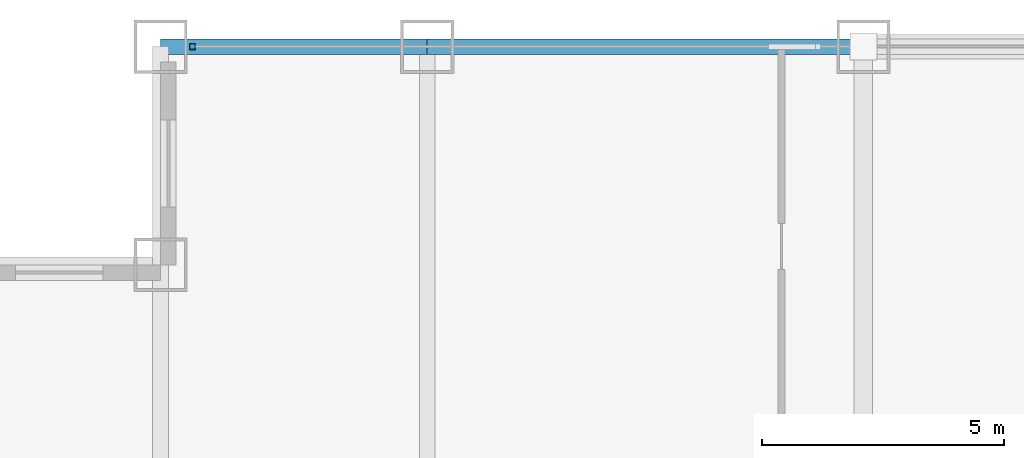
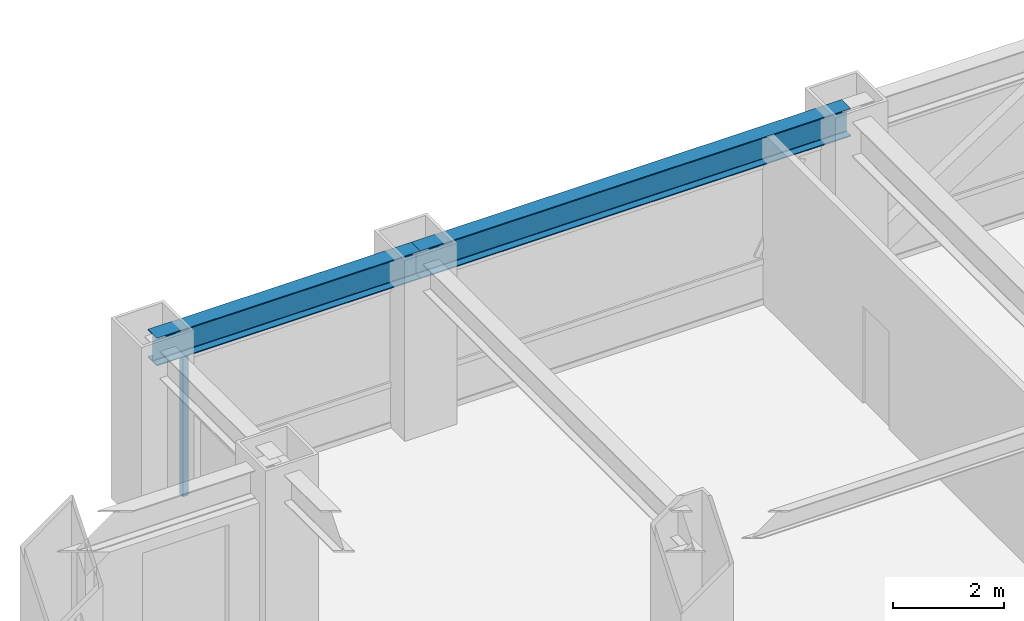
# One storey, part 14 of 24: 2 beams, 1 member, 1 element without a shape of its own.
"""IFC4 building model written with IfcOpenShell, lengths in metres."""

from ifc_helpers import new_model, si_unit, direction, frame, origin, origin_2d, place, context, subcontext, project, spatial, hollow_rectangle, i_section, extrude, source, transform, mapped, material, material_profile, profile_set, type_object, element, aggregate, save


model = new_model("IFC4")

# Units and contexts
model_context = context("Model", 3, precision=1e-05, world=origin(), true_north=direction((0.0, 1.0)))
body_context = subcontext(model_context, "Body", "Model", "MODEL_VIEW")
ifc_project = project(units=[si_unit("LENGTHUNIT", "METRE"), si_unit("AREAUNIT", "SQUARE_METRE"), si_unit("VOLUMEUNIT", "CUBIC_METRE"), si_unit("PLANEANGLEUNIT", "RADIAN"), si_unit("MASSUNIT", "GRAM", prefix="KILO")], contexts=[model_context])

# Site, building, storey
site_placement = place(None, origin())
site = spatial("IfcSite", under=ifc_project, at=site_placement, CompositionType="ELEMENT")
building_placement = place(site_placement, origin())
building = spatial("IfcBuilding", under=site, at=building_placement, Name="Khorayat Bourse Tower", CompositionType="ELEMENT")
storey_placement = place(building_placement, frame((0.0, 0.0, 171.10009765625)))
storey = spatial("IfcBuildingStorey", under=building, at=storey_placement, Name="L39", CompositionType="ELEMENT", Elevation=171.10009765625)

# Beams
ifc_material_1 = material(Name="Steel ASTM A992 Grade 50", Category="steel")
ifc_material_profile_1 = material_profile(ifc_material_1, i_section(OverallWidth=0.324951171875, OverallDepth=0.615966796875, WebThickness=0.013916015625, FlangeThickness=0.021484375, FilletRadius=0.01611328125, at=origin_2d()), Name="W610X174")
ifc_profile_set_1 = profile_set([ifc_material_profile_1], Name="Steel ASTM A992 Grade 50")
beam_type = type_object("IfcBeamType", Name="BM-SPAN-610", PredefinedType="SPANDREL", material=ifc_profile_set_1)
shared_shape_1 = source(origin(), body_context, "Body", "SweptSolid", [
    extrude(i_section(OverallWidth=0.324951171875, OverallDepth=0.615966796875, WebThickness=0.013916015625, FlangeThickness=0.021484375, FilletRadius=0.01611328125, at=origin_2d()), origin(), (0.0, 0.0, 1.0), 5.5),
])
beam_1_placement = place(storey_placement, frame((-25.5, 30.0, 3.471923828125), z_axis=(1.0, 0.0, 0.0), x_axis=(0.0, 1.0, 0.0)))
element("IfcBeam", 1, at=beam_1_placement, inside=storey, type_object=beam_type, Name="L39 BM-SPAN-610 BM-L39-SPN-051", PredefinedType="SPANDREL", context=body_context, shape_type="MappedRepresentation", body=[
    mapped(shared_shape_1, transform((0.0, 0.0, 0.0), scale=1.0)),
])
shared_shape_2 = source(origin(), body_context, "Body", "SweptSolid", [
    extrude(i_section(OverallWidth=0.324951171875, OverallDepth=0.615966796875, WebThickness=0.013916015625, FlangeThickness=0.021484375, FilletRadius=0.01611328125, at=origin_2d()), origin(), (0.0, 0.0, 1.0), 9.0),
])
beam_2_placement = place(storey_placement, frame((-20.0, 30.0, 3.471923828125), z_axis=(1.0, 0.0, 0.0), x_axis=(0.0, 1.0, 0.0)))
element("IfcBeam", 2, at=beam_2_placement, inside=storey, type_object=beam_type, Name="L39 BM-SPAN-610 BM-L39-SPN-050", PredefinedType="SPANDREL", context=body_context, shape_type="MappedRepresentation", body=[
    mapped(shared_shape_2, transform((0.0, 0.0, 0.0), scale=1.0)),
])

# Curtain wall, member
ifc_material_2 = material(Name="Aluminium EN AW-6063 T6", Category="aluminium")
curtain_wall_type = type_object("IfcCurtainWallType", Name="CW-SYS-03", PredefinedType="NOTDEFINED", material=ifc_material_2)
curtain_wall_placement = place(storey_placement, origin())
curtain_wall = element("IfcCurtainWall", 3, at=curtain_wall_placement, inside=storey, type_object=curtain_wall_type, Name="L39 Curtain Wall CW-L39-N1", PredefinedType="NOTDEFINED")
ifc_material_profile_2 = material_profile(ifc_material_2, hollow_rectangle(XDim=0.1201171875, YDim=0.1201171875, WallThickness=0.0048828125, at=origin_2d()), Name="ALU 120x120x5")
ifc_profile_set_2 = profile_set([ifc_material_profile_2], Name="Aluminium EN AW-6063 T6")
member_type = type_object("IfcMemberType", Name="CWM-VERT-120", PredefinedType="MULLION", material=ifc_profile_set_2)
shared_shape_3 = source(origin(), body_context, "Body", "SweptSolid", [
    extrude(hollow_rectangle(XDim=0.1201171875, YDim=0.1201171875, WallThickness=0.0048828125, at=origin_2d()), origin(), (0.0, 0.0, 1.0), 3.1298828125),
])
member_placement = place(storey_placement, frame((-24.840087890625, 30.0, 0.0), z_axis=(0.0, 0.0, 1.0), x_axis=(0.0, 1.0, 0.0)))
member = element("IfcMember", 4, at=member_placement, type_object=member_type, Name="CW-L39-N1 Vertical Mullion 1", PredefinedType="MULLION", context=body_context, shape_type="MappedRepresentation", body=[
    mapped(shared_shape_3, transform((0.0, 0.0, 0.0), scale=1.0)),
])
aggregate(curtain_wall, [member])

save(model, "model.ifc")
